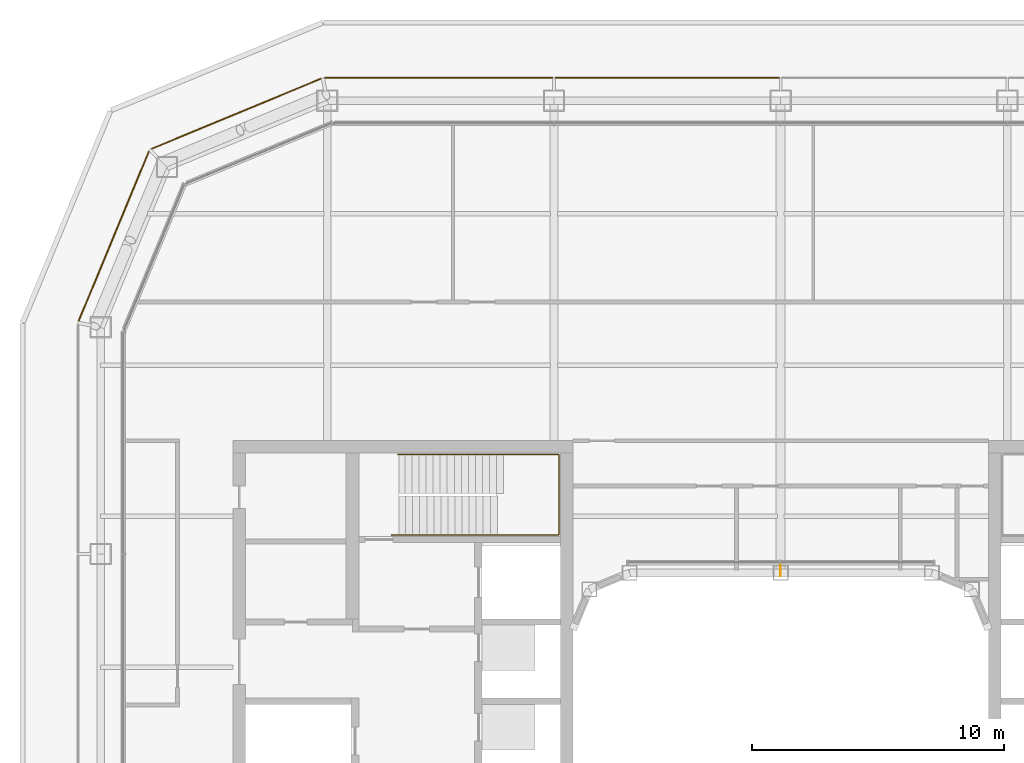
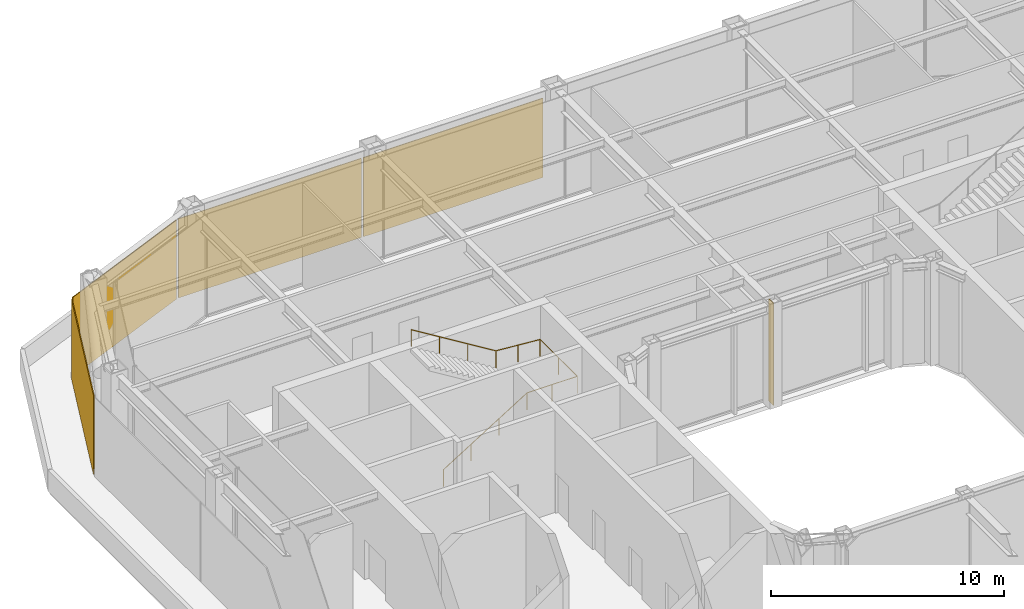
# One storey, part 17 of 19: 4 coverings, 1 railing, 1 shading device.
"""IFC4 building model written with IfcOpenShell, lengths in metres."""

from ifc_helpers import new_model, si_unit, direction, frame, origin, origin_2d, place, context, subcontext, project, spatial, rectangle, circle, extrude, material, layer, layer_set, type_object, element, save


model = new_model("IFC4")

# Units and contexts
model_context = context("Model", 3, precision=1e-05, world=origin(), true_north=direction((0.0, 1.0)))
body_context = subcontext(model_context, "Body", "Model", "MODEL_VIEW")
ifc_project = project(units=[si_unit("LENGTHUNIT", "METRE"), si_unit("AREAUNIT", "SQUARE_METRE"), si_unit("VOLUMEUNIT", "CUBIC_METRE"), si_unit("PLANEANGLEUNIT", "RADIAN"), si_unit("MASSUNIT", "GRAM", prefix="KILO")], contexts=[model_context])

# Site, building, storey
site_placement = place(None, origin())
site = spatial("IfcSite", under=ifc_project, at=site_placement, CompositionType="ELEMENT")
building_placement = place(site_placement, origin())
building = spatial("IfcBuilding", under=site, at=building_placement, Name="Siwar Civic Tower", CompositionType="ELEMENT")
storey_placement = place(building_placement, frame((0.0, 0.0, 187.199951171875)))
storey = spatial("IfcBuildingStorey", under=building, at=storey_placement, Name="L40", CompositionType="ELEMENT", Elevation=187.199951171875)

# Railing
ifc_material_1 = material(Name="Stainless steel", Category="steel")
railing_type = type_object("IfcRailingType", Name="CORE-STAIR-HANDRAIL", PredefinedType="HANDRAIL", material=ifc_material_1)
railing_placement = place(storey_placement, frame((-15.449951171875, 9.758056640625, 0.171875)))
element("IfcRailing", 1, at=railing_placement, inside=storey, type_object=railing_type, Name="Stair handrail ST1", PredefinedType="HANDRAIL", context=body_context, shape_type="SweptSolid", body=[
    extrude(circle(Radius=0.02001953125, at=origin_2d()), frame((0.0, 0.0, 0.8798828125), z_axis=(0.849426996612, 0.0, 0.527706146854), x_axis=(0.0, 1.0, 0.0)), (0.0, 0.0, 1.0), 4.885498046875),
    extrude(circle(Radius=0.02001953125, at=origin_2d()), frame((4.14990234375, 0.0, 3.4580078125), z_axis=(1.0, 0.0, 0.0), x_axis=(0.0, 1.0, 0.0)), (0.0, 0.0, 1.0), 2.491943359375),
    extrude(circle(Radius=0.02001953125, at=origin_2d()), frame((6.641845703125, 0.0, 3.4580078125), z_axis=(0.0, 1.0, 0.0), x_axis=(-1.0, 0.0, 0.0)), (0.0, 0.0, 1.0), 3.183837890625),
    extrude(circle(Radius=0.02001953125, at=origin_2d()), frame((6.641845703125, 3.183837890625, 3.4580078125), z_axis=(-0.996939735461, 0.0, 0.078173933367), x_axis=(0.0, -1.0, 0.0)), (0.0, 0.0, 1.0), 2.19873046875),
    extrude(circle(Radius=0.02001953125, at=origin_2d()), frame((4.449951171875, 3.183837890625, 3.6298828125), z_axis=(-0.852242915053, 0.0, 0.523146264196), x_axis=(0.0, -1.0, 0.0)), (0.0, 0.0, 1.0), 4.92822265625),
    extrude(circle(Radius=0.02001953125, at=origin_2d()), origin(), (0.0, 0.0, 1.0), 0.85986328125),
    extrude(circle(Radius=0.02001953125, at=origin_2d()), frame((1.38330078125, 0.0, 0.859375)), (0.0, 0.0, 1.0), 0.85986328125),
    extrude(circle(Radius=0.02001953125, at=origin_2d()), frame((2.7666015625, 0.0, 1.71875)), (0.0, 0.0, 1.0), 0.85986328125),
    extrude(circle(Radius=0.02001953125, at=origin_2d()), frame((4.14990234375, 0.0, 2.578125)), (0.0, 0.0, 1.0), 0.85986328125),
    extrude(circle(Radius=0.02001953125, at=origin_2d()), frame((5.39599609375, 0.0, 2.578125)), (0.0, 0.0, 1.0), 0.85986328125),
    extrude(circle(Radius=0.02001953125, at=origin_2d()), frame((6.641845703125, 0.0, 2.578125)), (0.0, 0.0, 1.0), 0.85986328125),
    extrude(circle(Radius=0.02001953125, at=origin_2d()), frame((6.641845703125, 1.591796875, 2.578125)), (0.0, 0.0, 1.0), 0.85986328125),
    extrude(circle(Radius=0.02001953125, at=origin_2d()), frame((6.641845703125, 3.183837890625, 2.578125)), (0.0, 0.0, 1.0), 0.85986328125),
    extrude(circle(Radius=0.02001953125, at=origin_2d()), frame((5.5458984375, 3.183837890625, 2.6640625)), (0.0, 0.0, 1.0), 0.85986328125),
    extrude(circle(Radius=0.02001953125, at=origin_2d()), frame((4.449951171875, 3.183837890625, 2.75)), (0.0, 0.0, 1.0), 0.85986328125),
    extrude(circle(Radius=0.02001953125, at=origin_2d()), frame((3.050048828125, 3.183837890625, 3.609375)), (0.0, 0.0, 1.0), 0.85986328125),
    extrude(circle(Radius=0.02001953125, at=origin_2d()), frame((1.64990234375, 3.183837890625, 4.46875)), (0.0, 0.0, 1.0), 0.85986328125),
    extrude(circle(Radius=0.02001953125, at=origin_2d()), frame((0.25, 3.183837890625, 5.328125)), (0.0, 0.0, 1.0), 0.85986328125),
])

# Shading device
ifc_material_2 = material(Name="Aluminium 6063-T6", Category="aluminium")
ifc_layer_1 = layer(ifc_material_2, 0.02001953125)
ifc_layer_set_1 = layer_set([ifc_layer_1], Name="Aluminium 6063-T6")
shading_device_type = type_object("IfcShadingDeviceType", Name="ENV-FIN", PredefinedType="JALOUSIE", material=ifc_layer_set_1)
shading_device_placement = place(storey_placement, frame((0.0, 8.344970703125, 0.0), z_axis=(0.0, 0.0, 1.0), x_axis=(-1.0, 0.0, 0.0)))
element("IfcShadingDevice", 2, at=shading_device_placement, inside=storey, type_object=shading_device_type, Name="SUNSHADE fin WN 1", PredefinedType="JALOUSIE", context=body_context, shape_type="SweptSolid", body=[
    extrude(rectangle(XDim=0.02001953125, YDim=0.449951171875, at=origin_2d()), origin(), (0.0, 0.0, 1.0), 5.35009765625),
])

# Coverings
ifc_material_3 = material(Name="Perforated aluminium cassette, pale metal", Category="aluminium")
ifc_layer_2 = layer(ifc_material_3, 0.0400390625)
ifc_layer_set_2 = layer_set([ifc_layer_2], Name="Perforated aluminium cassette, pale metal")
covering_type_1 = type_object("IfcCoveringType", Name="ENV-OUTER SKIN OS-1", PredefinedType="CLADDING", material=ifc_layer_set_2)
covering_1_placement = place(storey_placement, frame((-4.5, 27.89990234375, 0.0), z_axis=(0.0, 0.0, 1.0), x_axis=(-1.0, 0.0, 0.0)))
element("IfcCovering", 3, at=covering_1_placement, inside=storey, type_object=covering_type_1, Name="OUTER SKIN OS-1 N 3", PredefinedType="CLADDING", context=body_context, shape_type="SweptSolid", body=[
    extrude(rectangle(XDim=8.89990234375, YDim=0.0400390625, at=origin_2d()), origin(), (0.0, 0.0, 1.0), 4.14990234375),
])
covering_2_placement = place(storey_placement, frame((-13.57958984375, 27.89990234375, 0.0), z_axis=(0.0, 0.0, 1.0), x_axis=(-1.0, 0.0, 0.0)))
element("IfcCovering", 4, at=covering_2_placement, inside=storey, type_object=covering_type_1, Name="OUTER SKIN OS-1 N 4", PredefinedType="CLADDING", context=body_context, shape_type="SweptSolid", body=[
    extrude(rectangle(XDim=9.05908203125, YDim=0.0400390625, at=origin_2d()), origin(), (0.0, 0.0, 1.0), 4.14990234375),
])
covering_3_placement = place(storey_placement, frame((-21.615966796875, 26.476318359375, 0.0), z_axis=(0.0, 0.0, 1.0), x_axis=(-0.923879532511, -0.382683432365, 0.0)))
element("IfcCovering", 5, at=covering_3_placement, inside=storey, type_object=covering_type_1, Name="OUTER SKIN OS-1 NW1 1", PredefinedType="CLADDING", context=body_context, shape_type="SweptSolid", body=[
    extrude(rectangle(XDim=7.300048828125, YDim=0.0400390625, at=origin_2d()), origin(), (0.0, 0.0, 1.0), 4.14990234375),
])
ifc_material_4 = material(Name="Perforated aluminium cassette, pale metal", Category="aluminium")
ifc_layer_3 = layer(ifc_material_4, 0.044921875)
ifc_layer_set_3 = layer_set([ifc_layer_3], Name="Perforated aluminium cassette, pale metal")
covering_type_2 = type_object("IfcCoveringType", Name="ENV-OUTER SKIN OS-2", PredefinedType="CLADDING", material=ifc_layer_set_3)
covering_4_placement = place(storey_placement, frame((-26.476318359375, 21.615966796875, 0.0), z_axis=(0.0, 0.0, 1.0), x_axis=(-0.382683432365, -0.923879532511, 0.0)))
element("IfcCovering", 6, at=covering_4_placement, inside=storey, type_object=covering_type_2, Name="OUTER SKIN OS-2 NW2 1", PredefinedType="CLADDING", context=body_context, shape_type="SweptSolid", body=[
    extrude(rectangle(XDim=7.300048828125, YDim=0.044921875, at=origin_2d()), origin(), (0.0, 0.0, 1.0), 4.14990234375),
])

save(model, "model.ifc")
